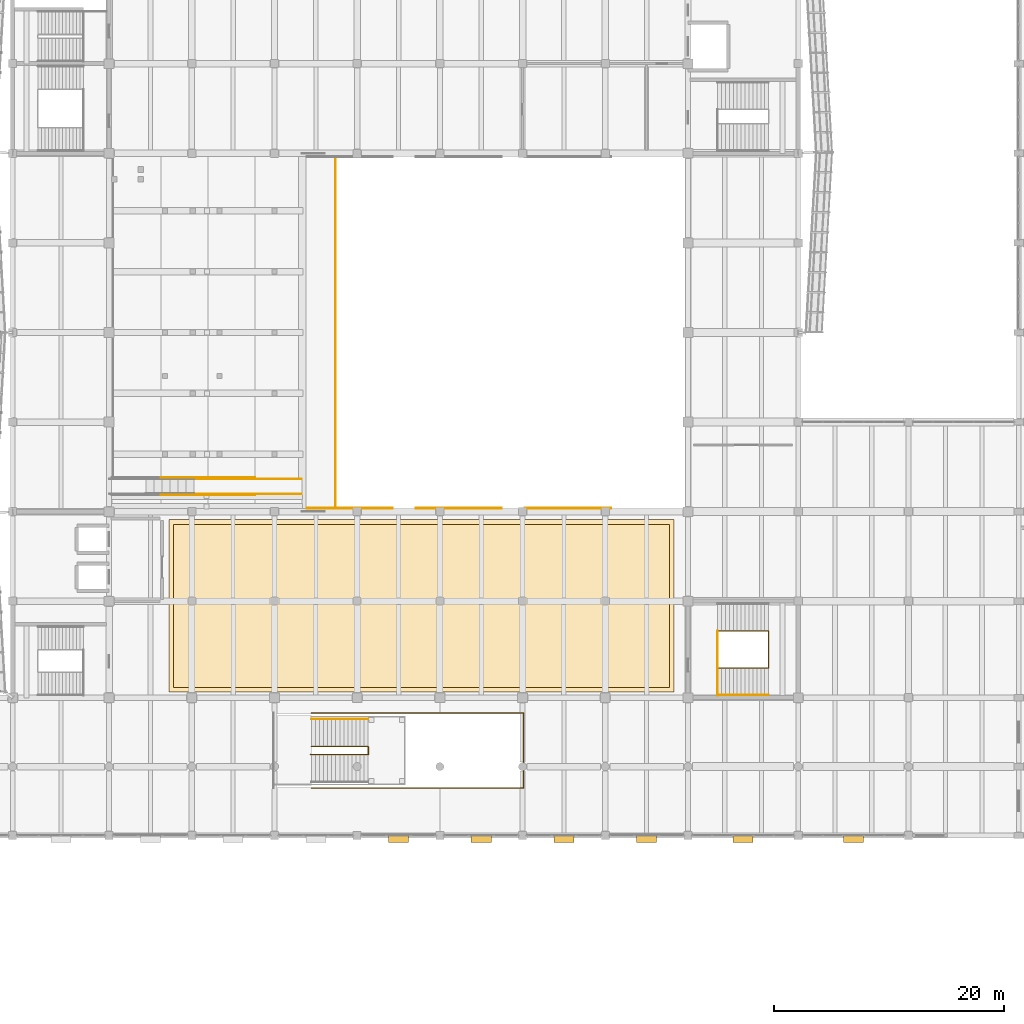
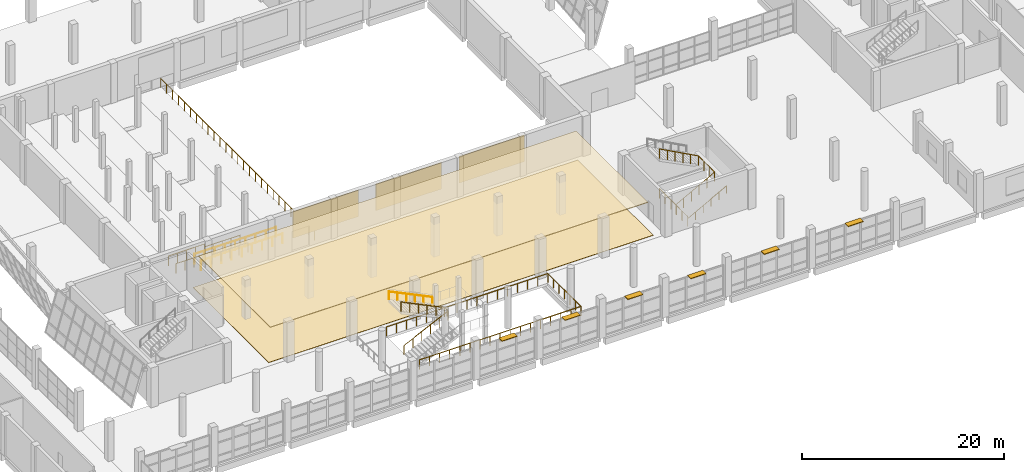
# One storey, part 89 of 91: 13 railings, 6 shading devices, 5 coverings.
"""IFC4 building model written with IfcOpenShell, lengths in metres."""

from ifc_helpers import new_model, si_unit, direction, frame, origin, origin_2d, place, context, subcontext, project, spatial, polyline, rectangle, circle, outline, extrude, material, layer, layer_set, type_object, element, save


model = new_model("IFC4")

# Units and contexts
model_context = context("Model", 3, precision=1e-05, world=origin(), true_north=direction((0.0, 1.0)))
body_context = subcontext(model_context, "Body", "Model", "MODEL_VIEW")
ifc_project = project(units=[si_unit("LENGTHUNIT", "METRE"), si_unit("AREAUNIT", "SQUARE_METRE"), si_unit("VOLUMEUNIT", "CUBIC_METRE"), si_unit("PLANEANGLEUNIT", "RADIAN"), si_unit("MASSUNIT", "GRAM", prefix="KILO")], contexts=[model_context])

# Site, building, storey
site_placement = place(None, origin())
site = spatial("IfcSite", under=ifc_project, at=site_placement, CompositionType="ELEMENT")
building_placement = place(site_placement, origin())
building = spatial("IfcBuilding", under=site, at=building_placement, Name="Pellamere Symphony Hall", CompositionType="ELEMENT")
storey_placement = place(building_placement, frame((0.0, 0.0, 5.39990234375)))
storey = spatial("IfcBuildingStorey", under=building, at=storey_placement, Name="L01", CompositionType="ELEMENT", Elevation=5.39990234375)

# Railings
ifc_material_1 = material(Name="Laminated Low-Iron Acoustic Balustrade Glass", Category="glass")
railing_type_1 = type_object("IfcRailingType", Name="Balustrade BL-01 H1120 Laminated", PredefinedType="BALUSTRADE", material=ifc_material_1)
railing_1_placement = place(storey_placement, frame((76.35009765625, 25.050048828125, 0.0)))
element("IfcRailing", 1, at=railing_1_placement, inside=storey, type_object=railing_type_1, Name="Feature Stair Inner Slot Balustrade (L01)", PredefinedType="BALUSTRADE", context=body_context, shape_type="SweptSolid", body=[
    extrude(circle(Radius=0.02392578125, at=origin_2d()), frame((0.0, 0.0, 1.09619140625), z_axis=(0.901849921339, 0.0, 0.432049440899), x_axis=(0.0, 1.0, 0.0)), (0.0, 0.0, 1.0), 5.55517578125),
    extrude(circle(Radius=0.02392578125, at=origin_2d()), frame((5.010009765625, 0.0, 3.49609375), z_axis=(0.0, 1.0, 0.0), x_axis=(-1.0, 0.0, 0.0)), (0.0, 0.0, 1.0), 0.699951171875),
    extrude(circle(Radius=0.02392578125, at=origin_2d()), frame((5.010009765625, 0.699951171875, 3.49609375), z_axis=(-0.900173260143, 0.0, 0.435531975548), x_axis=(0.0, -1.0, 0.0)), (0.0, 0.0, 1.0), 5.51025390625),
    extrude(circle(Radius=0.02099609375, at=origin_2d()), origin(), (0.0, 0.0, 1.0), 1.072021484375),
    extrude(circle(Radius=0.02099609375, at=origin_2d()), frame((1.001953125, 0.0, 0.47998046875)), (0.0, 0.0, 1.0), 1.072021484375),
    extrude(circle(Radius=0.02099609375, at=origin_2d()), frame((2.00390625, 0.0, 0.9599609375)), (0.0, 0.0, 1.0), 1.072021484375),
    extrude(circle(Radius=0.02099609375, at=origin_2d()), frame((3.006103515625, 0.0, 1.440185546875)), (0.0, 0.0, 1.0), 1.072021484375),
    extrude(circle(Radius=0.02099609375, at=origin_2d()), frame((4.008056640625, 0.0, 1.920166015625)), (0.0, 0.0, 1.0), 1.072021484375),
    extrude(circle(Radius=0.02099609375, at=origin_2d()), frame((5.010009765625, 0.0, 2.400146484375)), (0.0, 0.0, 1.0), 1.072021484375),
    extrude(circle(Radius=0.02099609375, at=origin_2d()), frame((5.010009765625, 0.699951171875, 2.400146484375)), (0.0, 0.0, 1.0), 1.072021484375),
    extrude(circle(Radius=0.02099609375, at=origin_2d()), frame((4.01806640625, 0.699951171875, 2.880126953125)), (0.0, 0.0, 1.0), 1.072021484375),
    extrude(circle(Radius=0.02099609375, at=origin_2d()), frame((3.02587890625, 0.699951171875, 3.360107421875)), (0.0, 0.0, 1.0), 1.072021484375),
    extrude(circle(Radius=0.02099609375, at=origin_2d()), frame((2.033935546875, 0.699951171875, 3.840087890625)), (0.0, 0.0, 1.0), 1.072021484375),
    extrude(circle(Radius=0.02099609375, at=origin_2d()), frame((1.041748046875, 0.699951171875, 4.320068359375)), (0.0, 0.0, 1.0), 1.072021484375),
    extrude(circle(Radius=0.02099609375, at=origin_2d()), frame((0.0498046875, 0.699951171875, 4.800048828125)), (0.0, 0.0, 1.0), 1.072021484375),
])
railing_2_placement = place(storey_placement, frame((78.52001953125, 46.550048828125, 0.0)))
element("IfcRailing", 2, at=railing_2_placement, inside=storey, type_object=railing_type_1, Name="Main Hall Dress Circle Cross-Aisle Concourse Front Balustrade", PredefinedType="BALUSTRADE", context=body_context, shape_type="SweptSolid", body=[
    extrude(circle(Radius=0.02392578125, at=origin_2d()), frame((0.0, 0.0, 1.09619140625), z_axis=(0.0, 1.0, 0.0), x_axis=(-1.0, 0.0, 0.0)), (0.0, 0.0, 1.0), 30.5),
    extrude(circle(Radius=0.02099609375, at=origin_2d()), origin(), (0.0, 0.0, 1.0), 1.072021484375),
    extrude(circle(Radius=0.02099609375, at=origin_2d()), frame((0.0, 1.173095703125, 0.0)), (0.0, 0.0, 1.0), 1.072021484375),
    extrude(circle(Radius=0.02099609375, at=origin_2d()), frame((0.0, 2.34619140625, 0.0)), (0.0, 0.0, 1.0), 1.072021484375),
    extrude(circle(Radius=0.02099609375, at=origin_2d()), frame((0.0, 3.519287109375, 0.0)), (0.0, 0.0, 1.0), 1.072021484375),
    extrude(circle(Radius=0.02099609375, at=origin_2d()), frame((0.0, 4.6923828125, 0.0)), (0.0, 0.0, 1.0), 1.072021484375),
    extrude(circle(Radius=0.02099609375, at=origin_2d()), frame((0.0, 5.865478515625, 0.0)), (0.0, 0.0, 1.0), 1.072021484375),
    extrude(circle(Radius=0.02099609375, at=origin_2d()), frame((0.0, 7.03857421875, 0.0)), (0.0, 0.0, 1.0), 1.072021484375),
    extrude(circle(Radius=0.02099609375, at=origin_2d()), frame((0.0, 8.21142578125, 0.0)), (0.0, 0.0, 1.0), 1.072021484375),
    extrude(circle(Radius=0.02099609375, at=origin_2d()), frame((0.0, 9.384521484375, 0.0)), (0.0, 0.0, 1.0), 1.072021484375),
    extrude(circle(Radius=0.02099609375, at=origin_2d()), frame((0.0, 10.5576171875, 0.0)), (0.0, 0.0, 1.0), 1.072021484375),
    extrude(circle(Radius=0.02099609375, at=origin_2d()), frame((0.0, 11.730712890625, 0.0)), (0.0, 0.0, 1.0), 1.072021484375),
    extrude(circle(Radius=0.02099609375, at=origin_2d()), frame((0.0, 12.90380859375, 0.0)), (0.0, 0.0, 1.0), 1.072021484375),
    extrude(circle(Radius=0.02099609375, at=origin_2d()), frame((0.0, 14.076904296875, 0.0)), (0.0, 0.0, 1.0), 1.072021484375),
    extrude(circle(Radius=0.02099609375, at=origin_2d()), frame((0.0, 15.25, 0.0)), (0.0, 0.0, 1.0), 1.072021484375),
    extrude(circle(Radius=0.02099609375, at=origin_2d()), frame((0.0, 16.423095703125, 0.0)), (0.0, 0.0, 1.0), 1.072021484375),
    extrude(circle(Radius=0.02099609375, at=origin_2d()), frame((0.0, 17.59619140625, 0.0)), (0.0, 0.0, 1.0), 1.072021484375),
    extrude(circle(Radius=0.02099609375, at=origin_2d()), frame((0.0, 18.769287109375, 0.0)), (0.0, 0.0, 1.0), 1.072021484375),
    extrude(circle(Radius=0.02099609375, at=origin_2d()), frame((0.0, 19.9423828125, 0.0)), (0.0, 0.0, 1.0), 1.072021484375),
    extrude(circle(Radius=0.02099609375, at=origin_2d()), frame((0.0, 21.115478515625, 0.0)), (0.0, 0.0, 1.0), 1.072021484375),
    extrude(circle(Radius=0.02099609375, at=origin_2d()), frame((0.0, 22.28857421875, 0.0)), (0.0, 0.0, 1.0), 1.072021484375),
    extrude(circle(Radius=0.02099609375, at=origin_2d()), frame((0.0, 23.46142578125, 0.0)), (0.0, 0.0, 1.0), 1.072021484375),
    extrude(circle(Radius=0.02099609375, at=origin_2d()), frame((0.0, 24.634521484375, 0.0)), (0.0, 0.0, 1.0), 1.072021484375),
    extrude(circle(Radius=0.02099609375, at=origin_2d()), frame((0.0, 25.8076171875, 0.0)), (0.0, 0.0, 1.0), 1.072021484375),
    extrude(circle(Radius=0.02099609375, at=origin_2d()), frame((0.0, 26.980712890625, 0.0)), (0.0, 0.0, 1.0), 1.072021484375),
    extrude(circle(Radius=0.02099609375, at=origin_2d()), frame((0.0, 28.15380859375, 0.0)), (0.0, 0.0, 1.0), 1.072021484375),
    extrude(circle(Radius=0.02099609375, at=origin_2d()), frame((0.0, 29.326904296875, 0.0)), (0.0, 0.0, 1.0), 1.072021484375),
    extrude(circle(Radius=0.02099609375, at=origin_2d()), frame((0.0, 30.5, 0.0)), (0.0, 0.0, 1.0), 1.072021484375),
])
railing_3_placement = place(storey_placement, frame((76.39990234375, 22.1201171875, 0.0)))
element("IfcRailing", 3, at=railing_3_placement, inside=storey, type_object=railing_type_1, Name="Safety Guardrail BL-ATR-L01", PredefinedType="BALUSTRADE", context=body_context, shape_type="SweptSolid", body=[
    extrude(circle(Radius=0.02392578125, at=origin_2d()), frame((0.0, 0.0, 1.09619140625), z_axis=(1.0, 0.0, 0.0), x_axis=(0.0, 1.0, 0.0)), (0.0, 0.0, 1.0), 18.47998046875),
    extrude(circle(Radius=0.02392578125, at=origin_2d()), frame((18.47998046875, 0.0, 1.09619140625), z_axis=(0.0, 1.0, 0.0), x_axis=(-1.0, 0.0, 0.0)), (0.0, 0.0, 1.0), 6.559814453125),
    extrude(circle(Radius=0.02392578125, at=origin_2d()), frame((18.47998046875, 6.559814453125, 1.09619140625), z_axis=(-1.0, 0.0, 0.0), x_axis=(0.0, -1.0, 0.0)), (0.0, 0.0, 1.0), 18.47998046875),
    extrude(circle(Radius=0.02099609375, at=origin_2d()), origin(), (0.0, 0.0, 1.0), 1.072021484375),
    extrude(circle(Radius=0.02099609375, at=origin_2d()), frame((1.155029296875, 0.0, 0.0)), (0.0, 0.0, 1.0), 1.072021484375),
    extrude(circle(Radius=0.02099609375, at=origin_2d()), frame((2.31005859375, 0.0, 0.0)), (0.0, 0.0, 1.0), 1.072021484375),
    extrude(circle(Radius=0.02099609375, at=origin_2d()), frame((3.465087890625, 0.0, 0.0)), (0.0, 0.0, 1.0), 1.072021484375),
    extrude(circle(Radius=0.02099609375, at=origin_2d()), frame((4.6201171875, 0.0, 0.0)), (0.0, 0.0, 1.0), 1.072021484375),
    extrude(circle(Radius=0.02099609375, at=origin_2d()), frame((5.77490234375, 0.0, 0.0)), (0.0, 0.0, 1.0), 1.072021484375),
    extrude(circle(Radius=0.02099609375, at=origin_2d()), frame((6.929931640625, 0.0, 0.0)), (0.0, 0.0, 1.0), 1.072021484375),
    extrude(circle(Radius=0.02099609375, at=origin_2d()), frame((8.0849609375, 0.0, 0.0)), (0.0, 0.0, 1.0), 1.072021484375),
    extrude(circle(Radius=0.02099609375, at=origin_2d()), frame((9.239990234375, 0.0, 0.0)), (0.0, 0.0, 1.0), 1.072021484375),
    extrude(circle(Radius=0.02099609375, at=origin_2d()), frame((10.39501953125, 0.0, 0.0)), (0.0, 0.0, 1.0), 1.072021484375),
    extrude(circle(Radius=0.02099609375, at=origin_2d()), frame((11.550048828125, 0.0, 0.0)), (0.0, 0.0, 1.0), 1.072021484375),
    extrude(circle(Radius=0.02099609375, at=origin_2d()), frame((12.705078125, 0.0, 0.0)), (0.0, 0.0, 1.0), 1.072021484375),
    extrude(circle(Radius=0.02099609375, at=origin_2d()), frame((13.85986328125, 0.0, 0.0)), (0.0, 0.0, 1.0), 1.072021484375),
    extrude(circle(Radius=0.02099609375, at=origin_2d()), frame((15.014892578125, 0.0, 0.0)), (0.0, 0.0, 1.0), 1.072021484375),
    extrude(circle(Radius=0.02099609375, at=origin_2d()), frame((16.169921875, 0.0, 0.0)), (0.0, 0.0, 1.0), 1.072021484375),
    extrude(circle(Radius=0.02099609375, at=origin_2d()), frame((17.324951171875, 0.0, 0.0)), (0.0, 0.0, 1.0), 1.072021484375),
    extrude(circle(Radius=0.02099609375, at=origin_2d()), frame((18.47998046875, 0.0, 0.0)), (0.0, 0.0, 1.0), 1.072021484375),
    extrude(circle(Radius=0.02099609375, at=origin_2d()), frame((18.47998046875, 1.09326171875, 0.0)), (0.0, 0.0, 1.0), 1.072021484375),
    extrude(circle(Radius=0.02099609375, at=origin_2d()), frame((18.47998046875, 2.1865234375, 0.0)), (0.0, 0.0, 1.0), 1.072021484375),
    extrude(circle(Radius=0.02099609375, at=origin_2d()), frame((18.47998046875, 3.27978515625, 0.0)), (0.0, 0.0, 1.0), 1.072021484375),
    extrude(circle(Radius=0.02099609375, at=origin_2d()), frame((18.47998046875, 4.373291015625, 0.0)), (0.0, 0.0, 1.0), 1.072021484375),
    extrude(circle(Radius=0.02099609375, at=origin_2d()), frame((18.47998046875, 5.466552734375, 0.0)), (0.0, 0.0, 1.0), 1.072021484375),
    extrude(circle(Radius=0.02099609375, at=origin_2d()), frame((18.47998046875, 6.559814453125, 0.0)), (0.0, 0.0, 1.0), 1.072021484375),
    extrude(circle(Radius=0.02099609375, at=origin_2d()), frame((17.324951171875, 6.559814453125, 0.0)), (0.0, 0.0, 1.0), 1.072021484375),
    extrude(circle(Radius=0.02099609375, at=origin_2d()), frame((16.169921875, 6.559814453125, 0.0)), (0.0, 0.0, 1.0), 1.072021484375),
    extrude(circle(Radius=0.02099609375, at=origin_2d()), frame((15.014892578125, 6.559814453125, 0.0)), (0.0, 0.0, 1.0), 1.072021484375),
    extrude(circle(Radius=0.02099609375, at=origin_2d()), frame((13.85986328125, 6.559814453125, 0.0)), (0.0, 0.0, 1.0), 1.072021484375),
    extrude(circle(Radius=0.02099609375, at=origin_2d()), frame((12.705078125, 6.559814453125, 0.0)), (0.0, 0.0, 1.0), 1.072021484375),
    extrude(circle(Radius=0.02099609375, at=origin_2d()), frame((11.550048828125, 6.559814453125, 0.0)), (0.0, 0.0, 1.0), 1.072021484375),
    extrude(circle(Radius=0.02099609375, at=origin_2d()), frame((10.39501953125, 6.559814453125, 0.0)), (0.0, 0.0, 1.0), 1.072021484375),
    extrude(circle(Radius=0.02099609375, at=origin_2d()), frame((9.239990234375, 6.559814453125, 0.0)), (0.0, 0.0, 1.0), 1.072021484375),
    extrude(circle(Radius=0.02099609375, at=origin_2d()), frame((8.0849609375, 6.559814453125, 0.0)), (0.0, 0.0, 1.0), 1.072021484375),
    extrude(circle(Radius=0.02099609375, at=origin_2d()), frame((6.929931640625, 6.559814453125, 0.0)), (0.0, 0.0, 1.0), 1.072021484375),
    extrude(circle(Radius=0.02099609375, at=origin_2d()), frame((5.77490234375, 6.559814453125, 0.0)), (0.0, 0.0, 1.0), 1.072021484375),
    extrude(circle(Radius=0.02099609375, at=origin_2d()), frame((4.6201171875, 6.559814453125, 0.0)), (0.0, 0.0, 1.0), 1.072021484375),
    extrude(circle(Radius=0.02099609375, at=origin_2d()), frame((3.465087890625, 6.559814453125, 0.0)), (0.0, 0.0, 1.0), 1.072021484375),
    extrude(circle(Radius=0.02099609375, at=origin_2d()), frame((2.31005859375, 6.559814453125, 0.0)), (0.0, 0.0, 1.0), 1.072021484375),
    extrude(circle(Radius=0.02099609375, at=origin_2d()), frame((1.155029296875, 6.559814453125, 0.0)), (0.0, 0.0, 1.0), 1.072021484375),
    extrude(circle(Radius=0.02099609375, at=origin_2d()), frame((0.0, 6.559814453125, 0.0)), (0.0, 0.0, 1.0), 1.072021484375),
])

# Shading devices
ifc_material_2 = material(Name="Champagne-Anodised Extruded Aluminium 6063-T6", Category="aluminium")
shading_device_type = type_object("IfcShadingDeviceType", Name="Exterior Shading SD-02 1750x650", PredefinedType="AWNING", material=ifc_material_2)
for number, where, z_axis, x_axis, name in (
    (4, (84.0, 17.719970703125, 3.8125), (0.0, 0.0, 1.0), (1.0, 0.0, 0.0), "South Concourse Brise-Soleil Awning (L01 Bay 6)"),
    (5, (91.199951171875, 17.719970703125, 3.8125), (0.0, 0.0, 1.0), (1.0, 0.0, 0.0), "South Concourse Brise-Soleil Awning (L01 Bay 7)"),
    (6, (98.39990234375, 17.719970703125, 3.8125), (0.0, 0.0, 1.0), (1.0, 0.0, 0.0), "South Concourse Brise-Soleil Awning (L01 Bay 8)"),
    (7, (105.60009765625, 17.719970703125, 3.8125), (0.0, 0.0, 1.0), (1.0, 0.0, 0.0), "South Concourse Brise-Soleil Awning (L01 Bay 9)"),
    (8, (114.0, 17.719970703125, 3.8125), (0.0, 0.0, 1.0), (1.0, 0.0, 0.0), "South Concourse Brise-Soleil Awning (L01 Bay 10)"),
    (9, (123.60009765625, 17.719970703125, 3.8125), (0.0, 0.0, 1.0), (1.0, 0.0, 0.0), "South Concourse Brise-Soleil Awning (L01 Bay 11)"),
):
    element("IfcShadingDevice", number, at=place(storey_placement, frame(where, z_axis=z_axis, x_axis=x_axis)), inside=storey, type_object=shading_device_type, Name=name, PredefinedType="AWNING", context=body_context, shape_type="SweptSolid", body=[
        extrude(rectangle(XDim=1.75, YDim=0.64990234375, at=origin_2d()), origin(), (0.0, 0.0, 1.0), 0.074951171875),
    ])

# Railings
ifc_material_3 = material(Name="Painted Steel CSA G40.21 350W", Category="steel")
railing_type_2 = type_object("IfcRailingType", Name="Guardrail GR-02 H1150 Painted", PredefinedType="GUARDRAIL", material=ifc_material_3)
railing_4_placement = place(storey_placement, frame((111.77490234375, 32.590087890625, 0.0)))
element("IfcRailing", 10, at=railing_4_placement, inside=storey, type_object=railing_type_2, Name="Stair ST08-L01 Continuous Well Guardrail (L01)", PredefinedType="GUARDRAIL", context=body_context, shape_type="SweptSolid", body=[
    extrude(circle(Radius=0.02392578125, at=origin_2d()), frame((0.0, 0.0, 1.1259765625), z_axis=(0.880149953968, 0.0, 0.474695753646), x_axis=(0.0, 1.0, 0.0)), (0.0, 0.0, 1.0), 5.05615234375),
    extrude(circle(Radius=0.02392578125, at=origin_2d()), frame((4.4501953125, 0.0, 3.52587890625), z_axis=(0.0, 1.0, 0.0), x_axis=(-1.0, 0.0, 0.0)), (0.0, 0.0, 1.0), 3.219970703125),
    extrude(circle(Radius=0.02392578125, at=origin_2d()), frame((4.4501953125, 3.219970703125, 3.52587890625), z_axis=(-0.880170127527, 0.0, 0.474658347245), x_axis=(0.0, -1.0, 0.0)), (0.0, 0.0, 1.0), 5.05615234375),
    extrude(circle(Radius=0.02099609375, at=origin_2d()), origin(), (0.0, 0.0, 1.0), 1.101806640625),
    extrude(circle(Radius=0.02099609375, at=origin_2d()), frame((0.89013671875, 0.0, 0.47998046875)), (0.0, 0.0, 1.0), 1.101806640625),
    extrude(circle(Radius=0.02099609375, at=origin_2d()), frame((1.780029296875, 0.0, 0.9599609375)), (0.0, 0.0, 1.0), 1.101806640625),
    extrude(circle(Radius=0.02099609375, at=origin_2d()), frame((2.670166015625, 0.0, 1.440185546875)), (0.0, 0.0, 1.0), 1.101806640625),
    extrude(circle(Radius=0.02099609375, at=origin_2d()), frame((3.56005859375, 0.0, 1.920166015625)), (0.0, 0.0, 1.0), 1.101806640625),
    extrude(circle(Radius=0.02099609375, at=origin_2d()), frame((4.4501953125, 0.0, 2.400146484375)), (0.0, 0.0, 1.0), 1.101806640625),
    extrude(circle(Radius=0.02099609375, at=origin_2d()), frame((4.4501953125, 1.0732421875, 2.400146484375)), (0.0, 0.0, 1.0), 1.101806640625),
    extrude(circle(Radius=0.02099609375, at=origin_2d()), frame((4.4501953125, 2.146728515625, 2.400146484375)), (0.0, 0.0, 1.0), 1.101806640625),
    extrude(circle(Radius=0.02099609375, at=origin_2d()), frame((4.4501953125, 3.219970703125, 2.400146484375)), (0.0, 0.0, 1.0), 1.101806640625),
    extrude(circle(Radius=0.02099609375, at=origin_2d()), frame((3.56005859375, 3.219970703125, 2.880126953125)), (0.0, 0.0, 1.0), 1.101806640625),
    extrude(circle(Radius=0.02099609375, at=origin_2d()), frame((2.670166015625, 3.219970703125, 3.360107421875)), (0.0, 0.0, 1.0), 1.101806640625),
    extrude(circle(Radius=0.02099609375, at=origin_2d()), frame((1.780029296875, 3.219970703125, 3.840087890625)), (0.0, 0.0, 1.0), 1.101806640625),
    extrude(circle(Radius=0.02099609375, at=origin_2d()), frame((0.89013671875, 3.219970703125, 4.320068359375)), (0.0, 0.0, 1.0), 1.101806640625),
    extrude(circle(Radius=0.02099609375, at=origin_2d()), frame((0.0, 3.219970703125, 4.800048828125)), (0.0, 0.0, 1.0), 1.101806640625),
])
railing_5_placement = place(storey_placement, frame((111.77490234375, 30.2099609375, 0.0)))
element("IfcRailing", 11, at=railing_5_placement, inside=storey, type_object=railing_type_2, Name="Stair ST08-L01 Landing Well Slot Guard (L01)", PredefinedType="GUARDRAIL", context=body_context, shape_type="SweptSolid", body=[
    extrude(circle(Radius=0.02392578125, at=origin_2d()), frame((0.0, 0.0, 1.1259765625), z_axis=(0.0, 1.0, 0.0), x_axis=(-1.0, 0.0, 0.0)), (0.0, 0.0, 1.0), 5.60009765625),
    extrude(circle(Radius=0.02099609375, at=origin_2d()), origin(), (0.0, 0.0, 1.0), 1.101806640625),
    extrude(circle(Radius=0.02099609375, at=origin_2d()), frame((0.0, 1.1201171875, 0.0)), (0.0, 0.0, 1.0), 1.101806640625),
    extrude(circle(Radius=0.02099609375, at=origin_2d()), frame((0.0, 2.239990234375, 0.0)), (0.0, 0.0, 1.0), 1.101806640625),
    extrude(circle(Radius=0.02099609375, at=origin_2d()), frame((0.0, 3.360107421875, 0.0)), (0.0, 0.0, 1.0), 1.101806640625),
    extrude(circle(Radius=0.02099609375, at=origin_2d()), frame((0.0, 4.47998046875, 0.0)), (0.0, 0.0, 1.0), 1.101806640625),
    extrude(circle(Radius=0.02099609375, at=origin_2d()), frame((0.0, 5.60009765625, 0.0)), (0.0, 0.0, 1.0), 1.101806640625),
])
for number, where, name in (
    (12, (66.199951171875, 47.75, 0.0), "Vomitory VOM-03 Lower Landing Guard 1"),
    (13, (66.199951171875, 49.050048828125, 0.0), "Vomitory VOM-03 Lower Landing Guard 2"),
):
    element("IfcRailing", number, at=place(storey_placement, frame(where)), inside=storey, type_object=railing_type_2, Name=name, PredefinedType="GUARDRAIL", context=body_context, shape_type="SweptSolid", body=[
        extrude(circle(Radius=0.02392578125, at=origin_2d()), frame((0.0, 0.0, 1.1259765625), z_axis=(1.0, 0.0, 0.0), x_axis=(0.0, 1.0, 0.0)), (0.0, 0.0, 1.0), 9.35009765625),
        extrude(circle(Radius=0.02099609375, at=origin_2d()), origin(), (0.0, 0.0, 1.0), 1.101806640625),
        extrude(circle(Radius=0.02099609375, at=origin_2d()), frame((1.168701171875, 0.0, 0.0)), (0.0, 0.0, 1.0), 1.101806640625),
        extrude(circle(Radius=0.02099609375, at=origin_2d()), frame((2.33740234375, 0.0, 0.0)), (0.0, 0.0, 1.0), 1.101806640625),
        extrude(circle(Radius=0.02099609375, at=origin_2d()), frame((3.50634765625, 0.0, 0.0)), (0.0, 0.0, 1.0), 1.101806640625),
        extrude(circle(Radius=0.02099609375, at=origin_2d()), frame((4.675048828125, 0.0, 0.0)), (0.0, 0.0, 1.0), 1.101806640625),
        extrude(circle(Radius=0.02099609375, at=origin_2d()), frame((5.84375, 0.0, 0.0)), (0.0, 0.0, 1.0), 1.101806640625),
        extrude(circle(Radius=0.02099609375, at=origin_2d()), frame((7.0126953125, 0.0, 0.0)), (0.0, 0.0, 1.0), 1.101806640625),
        extrude(circle(Radius=0.02099609375, at=origin_2d()), frame((8.181396484375, 0.0, 0.0)), (0.0, 0.0, 1.0), 1.101806640625),
        extrude(circle(Radius=0.02099609375, at=origin_2d()), frame((9.35009765625, 0.0, 0.0)), (0.0, 0.0, 1.0), 1.101806640625),
    ])
ifc_material_4 = material(Name="Laminated Safety Glass 21.5mm with Stainless Cap", Category="glass")
railing_type_3 = type_object("IfcRailingType", Name="Guardrail GR-03 H1180 Laminated", PredefinedType="GUARDRAIL", material=ifc_material_4)
railing_6_placement = place(storey_placement, frame((63.300048828125, 47.639892578125, 0.7001953125)))
element("IfcRailing", 14, at=railing_6_placement, inside=storey, type_object=railing_type_3, Name="Vomitory Slot Bay 2 Balustrade VOM-03-1", PredefinedType="GUARDRAIL", context=body_context, shape_type="SweptSolid", body=[
    extrude(circle(Radius=0.02392578125, at=origin_2d()), frame((0.0, 0.0, 1.15576171875), z_axis=(1.0, 0.0, 0.0), x_axis=(0.0, 1.0, 0.0)), (0.0, 0.0, 1.0), 4.099853515625),
    extrude(circle(Radius=0.02099609375, at=origin_2d()), origin(), (0.0, 0.0, 1.0), 1.1318359375),
    extrude(circle(Radius=0.02099609375, at=origin_2d()), frame((1.02490234375, 0.0, 0.0)), (0.0, 0.0, 1.0), 1.1318359375),
    extrude(circle(Radius=0.02099609375, at=origin_2d()), frame((2.0498046875, 0.0, 0.0)), (0.0, 0.0, 1.0), 1.1318359375),
    extrude(circle(Radius=0.02099609375, at=origin_2d()), frame((3.074951171875, 0.0, 0.0)), (0.0, 0.0, 1.0), 1.1318359375),
    extrude(circle(Radius=0.02099609375, at=origin_2d()), frame((4.099853515625, 0.0, 0.0)), (0.0, 0.0, 1.0), 1.1318359375),
])
railing_7_placement = place(storey_placement, frame((67.39990234375, 47.639892578125, 0.35009765625)))
element("IfcRailing", 15, at=railing_7_placement, inside=storey, type_object=railing_type_3, Name="Vomitory Slot Bay 3 Balustrade VOM-03-1", PredefinedType="GUARDRAIL", context=body_context, shape_type="SweptSolid", body=[
    extrude(circle(Radius=0.02392578125, at=origin_2d()), frame((0.0, 0.0, 1.15576171875), z_axis=(1.0, 0.0, 0.0), x_axis=(0.0, 1.0, 0.0)), (0.0, 0.0, 1.0), 4.10009765625),
    extrude(circle(Radius=0.02099609375, at=origin_2d()), origin(), (0.0, 0.0, 1.0), 1.1318359375),
    extrude(circle(Radius=0.02099609375, at=origin_2d()), frame((1.02490234375, 0.0, 0.0)), (0.0, 0.0, 1.0), 1.1318359375),
    extrude(circle(Radius=0.02099609375, at=origin_2d()), frame((2.050048828125, 0.0, 0.0)), (0.0, 0.0, 1.0), 1.1318359375),
    extrude(circle(Radius=0.02099609375, at=origin_2d()), frame((3.0751953125, 0.0, 0.0)), (0.0, 0.0, 1.0), 1.1318359375),
    extrude(circle(Radius=0.02099609375, at=origin_2d()), frame((4.10009765625, 0.0, 0.0)), (0.0, 0.0, 1.0), 1.1318359375),
])
railing_8_placement = place(storey_placement, frame((63.300048828125, 49.159912109375, 0.7001953125)))
element("IfcRailing", 16, at=railing_8_placement, inside=storey, type_object=railing_type_3, Name="Vomitory Slot Bay 2 Balustrade VOM-03-2", PredefinedType="GUARDRAIL", context=body_context, shape_type="SweptSolid", body=[
    extrude(circle(Radius=0.02392578125, at=origin_2d()), frame((0.0, 0.0, 1.15576171875), z_axis=(1.0, 0.0, 0.0), x_axis=(0.0, 1.0, 0.0)), (0.0, 0.0, 1.0), 4.099853515625),
    extrude(circle(Radius=0.02099609375, at=origin_2d()), origin(), (0.0, 0.0, 1.0), 1.1318359375),
    extrude(circle(Radius=0.02099609375, at=origin_2d()), frame((1.02490234375, 0.0, 0.0)), (0.0, 0.0, 1.0), 1.1318359375),
    extrude(circle(Radius=0.02099609375, at=origin_2d()), frame((2.0498046875, 0.0, 0.0)), (0.0, 0.0, 1.0), 1.1318359375),
    extrude(circle(Radius=0.02099609375, at=origin_2d()), frame((3.074951171875, 0.0, 0.0)), (0.0, 0.0, 1.0), 1.1318359375),
    extrude(circle(Radius=0.02099609375, at=origin_2d()), frame((4.099853515625, 0.0, 0.0)), (0.0, 0.0, 1.0), 1.1318359375),
])
railing_9_placement = place(storey_placement, frame((67.39990234375, 49.159912109375, 0.35009765625)))
element("IfcRailing", 17, at=railing_9_placement, inside=storey, type_object=railing_type_3, Name="Vomitory Slot Bay 3 Balustrade VOM-03-2", PredefinedType="GUARDRAIL", context=body_context, shape_type="SweptSolid", body=[
    extrude(circle(Radius=0.02392578125, at=origin_2d()), frame((0.0, 0.0, 1.15576171875), z_axis=(1.0, 0.0, 0.0), x_axis=(0.0, 1.0, 0.0)), (0.0, 0.0, 1.0), 4.10009765625),
    extrude(circle(Radius=0.02099609375, at=origin_2d()), origin(), (0.0, 0.0, 1.0), 1.1318359375),
    extrude(circle(Radius=0.02099609375, at=origin_2d()), frame((1.02490234375, 0.0, 0.0)), (0.0, 0.0, 1.0), 1.1318359375),
    extrude(circle(Radius=0.02099609375, at=origin_2d()), frame((2.050048828125, 0.0, 0.0)), (0.0, 0.0, 1.0), 1.1318359375),
    extrude(circle(Radius=0.02099609375, at=origin_2d()), frame((3.0751953125, 0.0, 0.0)), (0.0, 0.0, 1.0), 1.1318359375),
    extrude(circle(Radius=0.02099609375, at=origin_2d()), frame((4.10009765625, 0.0, 0.0)), (0.0, 0.0, 1.0), 1.1318359375),
])
ifc_material_5 = material(Name="Stainless Steel AISI 316", Category="steel")
railing_type_4 = type_object("IfcRailingType", Name="Handrail HR-01 H920 Stainless", PredefinedType="HANDRAIL", material=ifc_material_5)
railing_10_placement = place(storey_placement, frame((111.77490234375, 30.219970703125, 0.0)))
element("IfcRailing", 18, at=railing_10_placement, inside=storey, type_object=railing_type_4, Name="Stair ST08-L01 Lower Wall Handrail (L01)", PredefinedType="HANDRAIL", context=body_context, shape_type="SweptSolid", body=[
    extrude(circle(Radius=0.02392578125, at=origin_2d()), frame((0.0, 0.0, 0.89599609375), z_axis=(0.880149953968, 0.0, 0.474695753646), x_axis=(0.0, 1.0, 0.0)), (0.0, 0.0, 1.0), 5.05615234375),
    extrude(circle(Radius=0.02099609375, at=origin_2d()), origin(), (0.0, 0.0, 1.0), 0.871826171875),
    extrude(circle(Radius=0.02099609375, at=origin_2d()), frame((0.89013671875, 0.0, 0.47998046875)), (0.0, 0.0, 1.0), 0.871826171875),
    extrude(circle(Radius=0.02099609375, at=origin_2d()), frame((1.780029296875, 0.0, 0.9599609375)), (0.0, 0.0, 1.0), 0.871826171875),
    extrude(circle(Radius=0.02099609375, at=origin_2d()), frame((2.670166015625, 0.0, 1.440185546875)), (0.0, 0.0, 1.0), 0.871826171875),
    extrude(circle(Radius=0.02099609375, at=origin_2d()), frame((3.56005859375, 0.0, 1.920166015625)), (0.0, 0.0, 1.0), 0.871826171875),
    extrude(circle(Radius=0.02099609375, at=origin_2d()), frame((4.4501953125, 0.0, 2.400146484375)), (0.0, 0.0, 1.0), 0.871826171875),
])
ifc_material_6 = material(Name="Solid White Oak Acoustic Handrail with Steel Core", Category="steel")
railing_type_5 = type_object("IfcRailingType", Name="Handrail HR-02 H920 Solid", PredefinedType="HANDRAIL", material=ifc_material_6)
railing_11_placement = place(storey_placement, frame((81.360107421875, 28.14990234375, 2.400146484375)))
element("IfcRailing", 19, at=railing_11_placement, inside=storey, type_object=railing_type_5, Name="Feature Stair Oak Handrail Upper (L01)", PredefinedType="HANDRAIL", context=body_context, shape_type="SweptSolid", body=[
    extrude(circle(Radius=0.02392578125, at=origin_2d()), frame((0.0, 0.0, 0.89599609375), z_axis=(-0.900173260143, 0.0, 0.435531975548), x_axis=(0.0, -1.0, 0.0)), (0.0, 0.0, 1.0), 5.51025390625),
    extrude(circle(Radius=0.02099609375, at=origin_2d()), origin(), (0.0, 0.0, 1.0), 0.871826171875),
    extrude(circle(Radius=0.02099609375, at=origin_2d()), frame((-0.991943359375, 0.0, 0.47998046875)), (0.0, 0.0, 1.0), 0.871826171875),
    extrude(circle(Radius=0.02099609375, at=origin_2d()), frame((-1.984130859375, 0.0, 0.9599609375)), (0.0, 0.0, 1.0), 0.871826171875),
    extrude(circle(Radius=0.02099609375, at=origin_2d()), frame((-2.97607421875, 0.0, 1.43994140625)), (0.0, 0.0, 1.0), 0.871826171875),
    extrude(circle(Radius=0.02099609375, at=origin_2d()), frame((-3.96826171875, 0.0, 1.919921875)), (0.0, 0.0, 1.0), 0.871826171875),
    extrude(circle(Radius=0.02099609375, at=origin_2d()), frame((-4.960205078125, 0.0, 2.39990234375)), (0.0, 0.0, 1.0), 0.871826171875),
])

# Coverings
ifc_material_7 = material(Name="Perforated Western Red Cedar Acoustic Baffle Ceiling", Category="wood")
ifc_layer_1 = layer(ifc_material_7, 0.0849609375, Name="Perforated Western Red Cedar Acoustic Baffle Ceiling")
ifc_layer_set_1 = layer_set([ifc_layer_1], Name="Perforated Western Red Cedar Acoustic Baffle Ceiling")
covering_type_1 = type_object("IfcCoveringType", Name="Interior Covering AC-01 85mm", PredefinedType="CEILING", material=ifc_layer_set_1)
covering_1_placement = place(storey_placement, frame((0.0, 0.0, 3.85009765625)))
element("IfcCovering", 20, at=covering_1_placement, inside=storey, type_object=covering_type_1, Name="Acoustic Foyer Suspended Ceiling 3 (L01)", PredefinedType="CEILING", context=body_context, shape_type="SweptSolid", body=[
    extrude(outline(polyline([(64.39990234375, 30.89990234375), (107.60009765625, 30.89990234375), (107.60009765625, 45.10009765625), (64.39990234375, 45.10009765625), (64.39990234375, 30.89990234375)])), origin(), (0.0, 0.0, 1.0), 0.0849609375),
])
ifc_material_8 = material(Name="Shaped White Oak Side-Wall Acoustic Diffuser Liner", Category="wood")
ifc_layer_2 = layer(ifc_material_8, 0.074951171875, Name="Shaped White Oak Side-Wall Acoustic Diffuser Liner")
ifc_layer_set_2 = layer_set([ifc_layer_2], Name="Shaped White Oak Side-Wall Acoustic Diffuser Liner")
covering_type_2 = type_object("IfcCoveringType", Name="Interior Covering AW-01 75mm", PredefinedType="CLADDING", material=ifc_layer_set_2)
covering_2_placement = place(storey_placement, frame((0.0, 0.0, 1.2001953125)))
element("IfcCovering", 21, at=covering_2_placement, inside=storey, type_object=covering_type_2, Name="Shaped Oak Side-Wall Acoustic Diffuser S1", PredefinedType="CLADDING", context=body_context, shape_type="SweptSolid", body=[
    extrude(outline(polyline([(76.0, 46.4599609375), (83.5, 46.4599609375), (83.5, 46.5400390625), (76.0, 46.5400390625), (76.0, 46.4599609375)])), origin(), (0.0, 0.0, 1.0), 3.199951171875),
])
covering_3_placement = place(storey_placement, frame((0.0, 0.0, 1.2001953125)))
element("IfcCovering", 22, at=covering_3_placement, inside=storey, type_object=covering_type_2, Name="Shaped Oak Side-Wall Acoustic Diffuser S2", PredefinedType="CLADDING", context=body_context, shape_type="SweptSolid", body=[
    extrude(outline(polyline([(85.5, 46.4599609375), (93.0, 46.4599609375), (93.0, 46.5400390625), (85.5, 46.5400390625), (85.5, 46.4599609375)])), origin(), (0.0, 0.0, 1.0), 3.199951171875),
])
covering_4_placement = place(storey_placement, frame((0.0, 0.0, 1.2001953125)))
element("IfcCovering", 23, at=covering_4_placement, inside=storey, type_object=covering_type_2, Name="Shaped Oak Side-Wall Acoustic Diffuser S3", PredefinedType="CLADDING", context=body_context, shape_type="SweptSolid", body=[
    extrude(outline(polyline([(95.0, 46.4599609375), (102.5, 46.4599609375), (102.5, 46.5400390625), (95.0, 46.5400390625), (95.0, 46.4599609375)])), origin(), (0.0, 0.0, 1.0), 3.199951171875),
])
ifc_material_9 = material(Name="Honed Dolomitic Limestone Foyer Terrazzo Flooring", Category="masonry")
ifc_layer_3 = layer(ifc_material_9, 0.034912109375, Name="Honed Dolomitic Limestone Foyer Terrazzo Flooring")
ifc_layer_set_3 = layer_set([ifc_layer_3], Name="Honed Dolomitic Limestone Foyer Terrazzo Flooring")
covering_type_3 = type_object("IfcCoveringType", Name="Interior Covering FL-02 35mm", PredefinedType="FLOORING", material=ifc_layer_set_3)
covering_5_placement = place(storey_placement, origin())
element("IfcCovering", 24, at=covering_5_placement, inside=storey, type_object=covering_type_3, Name="Foyer Honed Limestone Terrazzo Flooring 3", PredefinedType="FLOORING", context=body_context, shape_type="SweptSolid", body=[
    extrude(outline(polyline([(64.0, 30.5), (108.0, 30.5), (108.0, 45.5), (64.0, 45.5), (64.0, 30.5)])), origin(), (0.0, 0.0, 1.0), 0.03515625),
])

save(model, "model.ifc")
